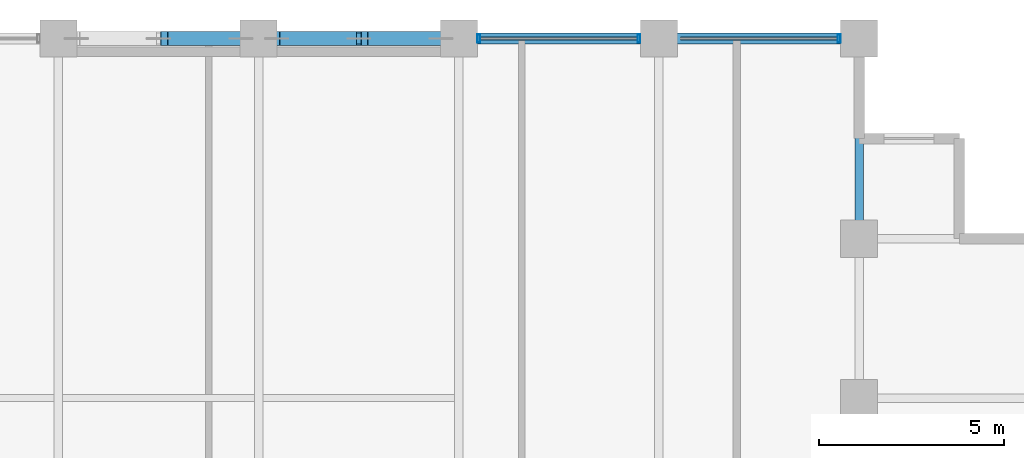
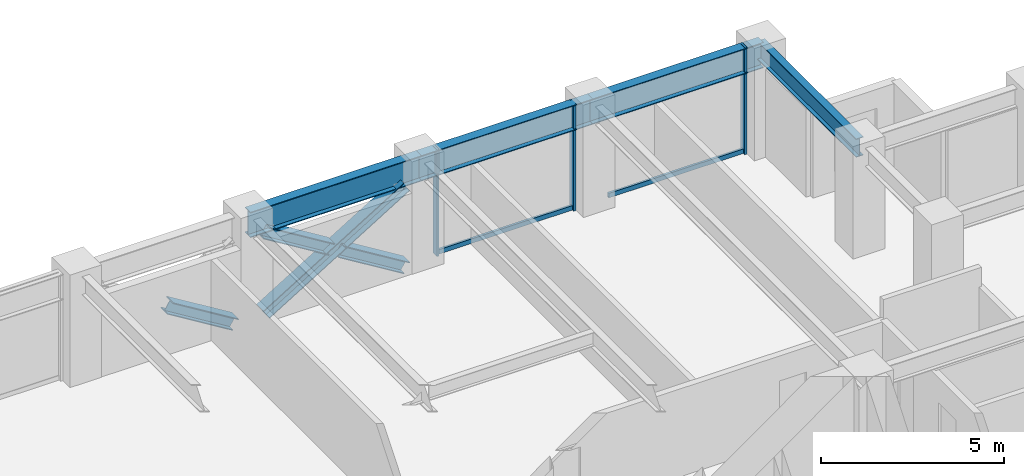
# One storey, part 17 of 26: 9 members, 4 beams, 1 element without a shape of its own.
"""IFC4 building model written with IfcOpenShell, lengths in metres."""

from ifc_helpers import new_model, si_unit, direction, frame, origin, origin_2d, place, context, subcontext, project, spatial, hollow_rectangle, i_section, extrude, material, layer, layer_set, material_profile, profile_set, type_object, element, aggregate, save


model = new_model("IFC4")

# Units and contexts
model_context = context("Model", 3, precision=1e-05, world=origin(), true_north=direction((0.0, 1.0)))
body_context = subcontext(model_context, "Body", "Model", "MODEL_VIEW")
ifc_project = project(units=[si_unit("LENGTHUNIT", "METRE"), si_unit("AREAUNIT", "SQUARE_METRE"), si_unit("VOLUMEUNIT", "CUBIC_METRE"), si_unit("PLANEANGLEUNIT", "RADIAN"), si_unit("MASSUNIT", "GRAM", prefix="KILO")], contexts=[model_context])

# Site, building, storey
site_placement = place(None, origin())
site = spatial("IfcSite", under=ifc_project, at=site_placement, CompositionType="ELEMENT")
building_placement = place(site_placement, origin())
building = spatial("IfcBuilding", under=site, at=building_placement, Name="Surkhivell Harbour Commons", CompositionType="ELEMENT")
storey_placement = place(building_placement, frame((0.0, 0.0, 147.0)))
storey = spatial("IfcBuildingStorey", under=building, at=storey_placement, Name="L38", CompositionType="ELEMENT", Elevation=147.0)

# Beams
ifc_material_1 = material(Name="Steel S355", Category="steel")
ifc_material_profile_1 = material_profile(ifc_material_1, i_section(OverallWidth=0.22998046875, OverallDepth=0.616943359375, WebThickness=0.01318359375, FlangeThickness=0.022216796875, at=origin_2d()), Name="UB610x229x140")
ifc_profile_set_1 = profile_set([ifc_material_profile_1], Name="Steel S355")
beam_type_1 = type_object("IfcBeamType", Name="BM-GRD-610B", PredefinedType="BEAM", material=ifc_profile_set_1)
beam_1_placement = place(storey_placement, frame((16.199951171875, 20.5, 3.261474609375), z_axis=(0.0, 1.0, 0.0), x_axis=(-1.0, 0.0, 0.0)))
element("IfcBeam", 1, at=beam_1_placement, inside=storey, type_object=beam_type_1, Name="L38 Floor Girder (16.2,20.5)", PredefinedType="BEAM", context=body_context, shape_type="SweptSolid", body=[
    extrude(i_section(OverallWidth=0.22998046875, OverallDepth=0.616943359375, WebThickness=0.01318359375, FlangeThickness=0.022216796875, at=origin_2d()), origin(), (0.0, 0.0, 1.0), 5.39990234375),
])
ifc_material_2 = material(Name="Steel S460", Category="steel")
ifc_material_profile_2 = material_profile(ifc_material_2, i_section(OverallWidth=0.2939453125, OverallDepth=0.85107421875, WebThickness=0.01611328125, FlangeThickness=0.02685546875, at=origin_2d()), Name="UB838x292x226")
ifc_profile_set_2 = profile_set([ifc_material_profile_2], Name="Steel S460")
beam_type_2 = type_object("IfcBeamType", Name="BM-SPN-838", PredefinedType="SPANDREL", material=ifc_profile_set_2)
beam_2_placement = place(storey_placement, frame((0.0, 25.89990234375, 3.14453125), z_axis=(1.0, 0.0, 0.0), x_axis=(0.0, 1.0, 0.0)))
element("IfcBeam", 2, at=beam_2_placement, inside=storey, type_object=beam_type_2, Name="L38 Tube Spandrel (-0.0,25.9)", PredefinedType="SPANDREL", context=body_context, shape_type="SweptSolid", body=[
    extrude(i_section(OverallWidth=0.2939453125, OverallDepth=0.85107421875, WebThickness=0.01611328125, FlangeThickness=0.02685546875, at=origin_2d()), origin(), (0.0, 0.0, 1.0), 5.39990234375),
])
beam_3_placement = place(storey_placement, frame((5.39990234375, 25.89990234375, 3.14453125), z_axis=(1.0, 0.0, 0.0), x_axis=(0.0, 1.0, 0.0)))
element("IfcBeam", 3, at=beam_3_placement, inside=storey, type_object=beam_type_2, Name="L38 Tube Spandrel (5.4,25.9)", PredefinedType="SPANDREL", context=body_context, shape_type="SweptSolid", body=[
    extrude(i_section(OverallWidth=0.2939453125, OverallDepth=0.85107421875, WebThickness=0.01611328125, FlangeThickness=0.02685546875, at=origin_2d()), origin(), (0.0, 0.0, 1.0), 5.400146484375),
])
beam_4_placement = place(storey_placement, frame((10.800048828125, 25.89990234375, 3.14453125), z_axis=(1.0, 0.0, 0.0), x_axis=(0.0, 1.0, 0.0)))
element("IfcBeam", 4, at=beam_4_placement, inside=storey, type_object=beam_type_2, Name="L38 Tube Spandrel (10.8,25.9)", PredefinedType="SPANDREL", context=body_context, shape_type="SweptSolid", body=[
    extrude(i_section(OverallWidth=0.2939453125, OverallDepth=0.85107421875, WebThickness=0.01611328125, FlangeThickness=0.02685546875, at=origin_2d()), origin(), (0.0, 0.0, 1.0), 5.39990234375),
])

# Curtain wall, members
ifc_material_3 = material(Name="Anodised pale-metal aluminium and insulated glazing", Category="aluminium")
ifc_layer = layer(ifc_material_3, 0.205078125)
ifc_layer_set = layer_set([ifc_layer], Name="Anodised pale-metal aluminium and insulated glazing")
curtain_wall_type = type_object("IfcCurtainWallType", Name="CW-SYS-Z2", PredefinedType="NOTDEFINED", material=ifc_layer_set)
curtain_wall_placement = place(storey_placement, origin())
curtain_wall = element("IfcCurtainWall", 5, at=curtain_wall_placement, inside=storey, type_object=curtain_wall_type, Name="L38 Curtain Wall CW-L38-E07S1", PredefinedType="NOTDEFINED")
ifc_material_4 = material(Name="Anodised pale-metal aluminium alloy 6063-T6", Category="aluminium")
ifc_material_profile_3 = material_profile(ifc_material_4, hollow_rectangle(XDim=0.074951171875, YDim=0.219970703125, WallThickness=0.00390625, at=origin_2d()), Name="ALU-MULL-75x220")
ifc_profile_set_3 = profile_set([ifc_material_profile_3], Name="Anodised pale-metal aluminium alloy 6063-T6")
member_type_1 = type_object("IfcMemberType", Name="CWM-220", PredefinedType="MULLION", material=ifc_profile_set_3)
member_1_placement = place(storey_placement, frame((15.660400390625, 25.89990234375, 0.0), z_axis=(0.0, 0.0, 1.0), x_axis=(-1.0, 0.0, 0.0)))
member_1 = element("IfcMember", 6, at=member_1_placement, type_object=member_type_1, Name="CW-Z2 mullion 1", PredefinedType="MULLION", context=body_context, shape_type="SweptSolid", body=[
    extrude(hollow_rectangle(XDim=0.074951171875, YDim=0.219970703125, WallThickness=0.00390625, at=origin_2d()), origin(), (0.0, 0.0, 1.0), 3.570068359375),
])
member_2_placement = place(storey_placement, frame((10.260498046875, 25.89990234375, 0.0), z_axis=(0.0, 0.0, 1.0), x_axis=(-1.0, 0.0, 0.0)))
member_2 = element("IfcMember", 7, at=member_2_placement, type_object=member_type_1, Name="CW-Z2 mullion 2", PredefinedType="MULLION", context=body_context, shape_type="SweptSolid", body=[
    extrude(hollow_rectangle(XDim=0.074951171875, YDim=0.219970703125, WallThickness=0.00390625, at=origin_2d()), origin(), (0.0, 0.0, 1.0), 3.570068359375),
])
member_3_placement = place(storey_placement, frame((5.939453125, 25.89990234375, 0.0), z_axis=(0.0, 0.0, 1.0), x_axis=(-1.0, 0.0, 0.0)))
member_3 = element("IfcMember", 8, at=member_3_placement, type_object=member_type_1, Name="CW-Z2 mullion 3", PredefinedType="MULLION", context=body_context, shape_type="SweptSolid", body=[
    extrude(hollow_rectangle(XDim=0.074951171875, YDim=0.219970703125, WallThickness=0.00390625, at=origin_2d()), origin(), (0.0, 0.0, 1.0), 3.570068359375),
])
ifc_material_profile_4 = material_profile(ifc_material_4, hollow_rectangle(XDim=0.074951171875, YDim=0.14990234375, WallThickness=0.00341796875, at=origin_2d()), Name="ALU-TRAN-75x150")
ifc_profile_set_4 = profile_set([ifc_material_profile_4], Name="Anodised pale-metal aluminium alloy 6063-T6")
member_type_2 = type_object("IfcMemberType", Name="CWT-150", PredefinedType="USERDEFINED", material=ifc_profile_set_4)
member_4_placement = place(storey_placement, frame((15.623046875, 25.89990234375, 0.074951171875), z_axis=(-1.0, 0.0, 0.0), x_axis=(0.0, -1.0, 0.0)))
member_4 = element("IfcMember", 9, at=member_4_placement, type_object=member_type_2, Name="CW-Z2 transom 1.1", ObjectType="TRANSOM", PredefinedType="USERDEFINED", context=body_context, shape_type="SweptSolid", body=[
    extrude(hollow_rectangle(XDim=0.074951171875, YDim=0.14990234375, WallThickness=0.00341796875, at=origin_2d()), origin(), (0.0, 0.0, 1.0), 4.24609375),
])
member_5_placement = place(storey_placement, frame((10.222900390625, 25.89990234375, 0.074951171875), z_axis=(-1.0, 0.0, 0.0), x_axis=(0.0, -1.0, 0.0)))
member_5 = element("IfcMember", 10, at=member_5_placement, type_object=member_type_2, Name="CW-Z2 transom 2.1", ObjectType="TRANSOM", PredefinedType="USERDEFINED", context=body_context, shape_type="SweptSolid", body=[
    extrude(hollow_rectangle(XDim=0.074951171875, YDim=0.14990234375, WallThickness=0.00341796875, at=origin_2d()), origin(), (0.0, 0.0, 1.0), 4.245849609375),
])
aggregate(curtain_wall, [member_1, member_4, member_2, member_3, member_5])

# Members
ifc_material_profile_5 = material_profile(ifc_material_2, i_section(OverallWidth=0.375, OverallDepth=0.375, WebThickness=0.0166015625, FlangeThickness=0.027099609375, at=origin_2d()), Name="UC356x368x202")
ifc_profile_set_5 = profile_set([ifc_material_profile_5], Name="Steel S460")
member_type_3 = type_object("IfcMemberType", Name="MEM-BRC-UC356", PredefinedType="BRACE", material=ifc_profile_set_5)
member_6_placement = place(storey_placement, frame((-0.485107421875, 25.89990234375, 0.008056640625), z_axis=(-0.852589641581, 0.0, 0.522581001443), x_axis=(0.0, -1.0, 0.0)))
element("IfcMember", 11, at=member_6_placement, inside=storey, type_object=member_type_3, Name="L38 Perimeter Mega-Brace MB- 02", PredefinedType="BRACE", context=body_context, shape_type="SweptSolid", body=[
    extrude(i_section(OverallWidth=0.375, OverallDepth=0.375, WebThickness=0.0166015625, FlangeThickness=0.027099609375, at=origin_2d()), origin(), (0.0, 0.0, 1.0), 2.417724609375),
])
member_7_placement = place(storey_placement, frame((0.485107421875, 25.89990234375, 0.008056640625), z_axis=(0.852624888477, 0.0, 0.522523491864), x_axis=(0.0, 1.0, 0.0)))
element("IfcMember", 12, at=member_7_placement, inside=storey, type_object=member_type_3, Name="L38 Perimeter Mega-Brace MB- 04", PredefinedType="BRACE", context=body_context, shape_type="SweptSolid", body=[
    extrude(i_section(OverallWidth=0.375, OverallDepth=0.375, WebThickness=0.0166015625, FlangeThickness=0.027099609375, at=origin_2d()), origin(), (0.0, 0.0, 1.0), 5.195556640625),
])
member_8_placement = place(storey_placement, frame((4.9150390625, 25.89990234375, 0.008056640625), z_axis=(-0.852617215241, 0.0, 0.52253601242), x_axis=(0.0, -1.0, 0.0)))
element("IfcMember", 13, at=member_8_placement, inside=storey, type_object=member_type_3, Name="L38 Perimeter Mega-Brace MB- 05", PredefinedType="BRACE", context=body_context, shape_type="SweptSolid", body=[
    extrude(i_section(OverallWidth=0.375, OverallDepth=0.375, WebThickness=0.0166015625, FlangeThickness=0.027099609375, at=origin_2d()), origin(), (0.0, 0.0, 1.0), 2.41796875),
])
member_9_placement = place(storey_placement, frame((2.54638671875, 25.89990234375, 1.459716796875), z_axis=(-0.852634632964, 0.0, 0.522507591017), x_axis=(0.0, -1.0, 0.0)))
element("IfcMember", 14, at=member_9_placement, inside=storey, type_object=member_type_3, Name="L38 Perimeter Mega-Brace MB- 06", PredefinedType="BRACE", context=body_context, shape_type="SweptSolid", body=[
    extrude(i_section(OverallWidth=0.375, OverallDepth=0.375, WebThickness=0.0166015625, FlangeThickness=0.027099609375, at=origin_2d()), origin(), (0.0, 0.0, 1.0), 2.41748046875),
])

save(model, "model.ifc")
